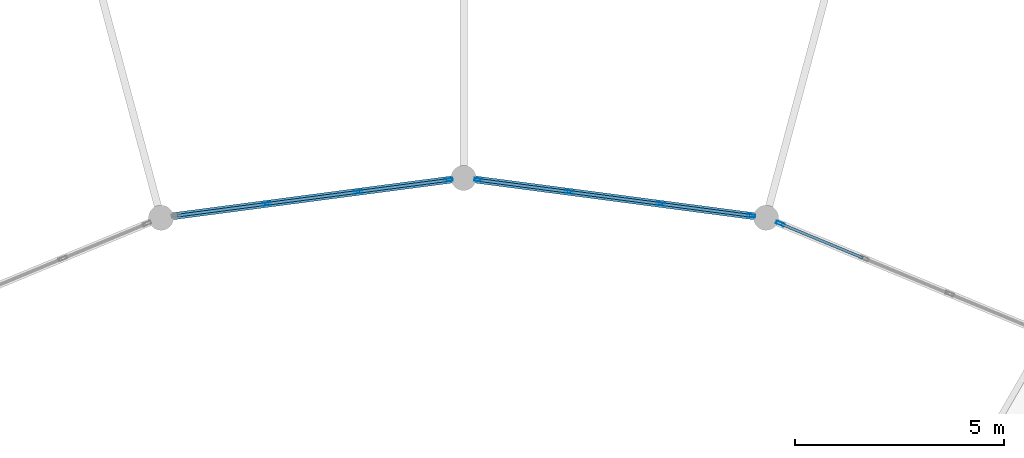
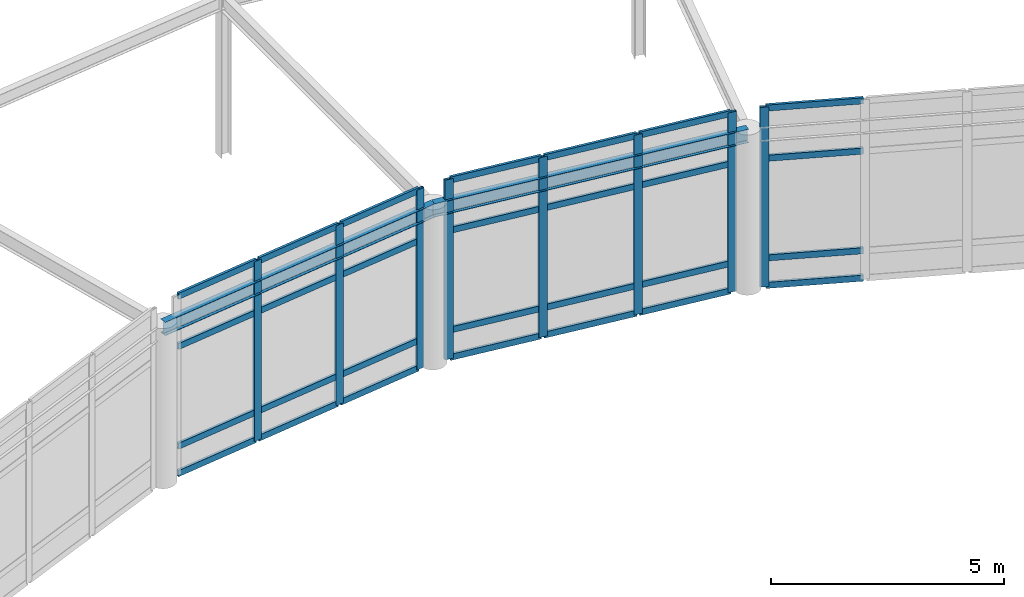
# One storey, part 49 of 93: 36 members, 2 beams, 3 elements without a shape of their own.
"""IFC4 building model written with IfcOpenShell, lengths in metres."""

from ifc_helpers import new_model, si_unit, direction, frame, origin, origin_2d, place, context, subcontext, project, spatial, hollow_rectangle, i_section, extrude, material, material_profile, profile_set, type_object, element, aggregate, save


model = new_model("IFC4")

# Units and contexts
model_context = context("Model", 3, precision=1e-05, world=origin(), true_north=direction((0.0, 1.0)))
body_context = subcontext(model_context, "Body", "Model", "MODEL_VIEW")
ifc_project = project(units=[si_unit("LENGTHUNIT", "METRE"), si_unit("AREAUNIT", "SQUARE_METRE"), si_unit("VOLUMEUNIT", "CUBIC_METRE"), si_unit("PLANEANGLEUNIT", "RADIAN"), si_unit("MASSUNIT", "GRAM", prefix="KILO")], contexts=[model_context])

# Site, building, storey
site_placement = place(None, origin())
site = spatial("IfcSite", under=ifc_project, at=site_placement, CompositionType="ELEMENT")
building_placement = place(site_placement, origin())
building = spatial("IfcBuilding", under=site, at=building_placement, Name="Vondelvale Polytechnic", CompositionType="ELEMENT")
storey_placement = place(building_placement, frame((0.0, 0.0, 18.0)))
storey = spatial("IfcBuildingStorey", under=building, at=storey_placement, Name="L04", CompositionType="ELEMENT", Elevation=18.0)

# Beams
ifc_material_1 = material(Name="Steel 300PLUS (fy = 300 MPa)", Category="steel")
ifc_material_profile_1 = material_profile(ifc_material_1, i_section(OverallWidth=0.1708984375, OverallDepth=0.35205078125, WebThickness=0.0068359375, FlangeThickness=0.009765625, FilletRadius=0.011474609375, at=origin_2d()), Name="360UB44.7")
ifc_profile_set_1 = profile_set([ifc_material_profile_1], Name="Steel 300PLUS (fy = 300 MPa)")
beam_type = type_object("IfcBeamType", Name="BM-UB360L", PredefinedType="BEAM", material=ifc_profile_set_1)
for number, where, z_axis, x_axis, name in (
    (1, (109.246826171875, 99.0458984375, 4.02392578125), (-0.991444174467, 0.13053140969, 0.0), (-0.13053140969, -0.991444174467, 0.0), "L04 RE B-24"),
    (2, (102.0, 100.0, 4.02392578125), (-0.991444174467, -0.13053140969, 0.0), (0.13053140969, -0.991444174467, 0.0), "L04 RE B-24"),
):
    element("IfcBeam", number, at=place(storey_placement, frame(where, z_axis=z_axis, x_axis=x_axis)), inside=storey, type_object=beam_type, Name=name, PredefinedType="BEAM", context=body_context, shape_type="SweptSolid", body=[
        extrude(i_section(OverallWidth=0.1708984375, OverallDepth=0.35205078125, WebThickness=0.0068359375, FlangeThickness=0.009765625, FilletRadius=0.011474609375, at=origin_2d()), origin(), (0.0, 0.0, 1.0), 7.309326171875),
    ])

# Curtain wall, member
ifc_material_2 = material(Name="Anodised extruded aluminium 6063-T6", Category="aluminium")
curtain_wall_type = type_object("IfcCurtainWallType", Name="CW-RING-CLOISTER", PredefinedType="NOTDEFINED", material=ifc_material_2)
curtain_wall_1_placement = place(storey_placement, origin())
curtain_wall_1 = element("IfcCurtainWall", 3, at=curtain_wall_1_placement, inside=storey, type_object=curtain_wall_type, Name="L04 architectural curtain wall CW-03-127", PredefinedType="NOTDEFINED")
ifc_material_profile_2 = material_profile(ifc_material_2, hollow_rectangle(XDim=0.070068359375, YDim=0.199951171875, WallThickness=0.00390625, at=origin_2d()), Name="CW-MUL-200x70")
ifc_profile_set_2 = profile_set([ifc_material_profile_2], Name="Anodised extruded aluminium 6063-T6")
member_type_1 = type_object("IfcMemberType", Name="CW-MUL-70x200", PredefinedType="MULLION", material=ifc_profile_set_2)
member_1_placement = place(storey_placement, frame((109.584228515625, 98.90625, 0.0), z_axis=(0.0, 0.0, 1.0), x_axis=(-0.382678531697, -0.923881562419, 0.0)))
member_1 = element("IfcMember", 4, at=member_1_placement, type_object=member_type_1, Name="CW-03-127 mullion 4", PredefinedType="MULLION", context=body_context, shape_type="SweptSolid", body=[
    extrude(hollow_rectangle(XDim=0.070068359375, YDim=0.199951171875, WallThickness=0.00390625, at=origin_2d()), origin(), (0.0, 0.0, 1.0), 4.713134765625),
])

# Curtain wall, members
curtain_wall_2_placement = place(storey_placement, origin())
curtain_wall_2 = element("IfcCurtainWall", 5, at=curtain_wall_2_placement, inside=storey, type_object=curtain_wall_type, Name="L04 architectural curtain wall CW-03-147", PredefinedType="NOTDEFINED")
member_2_placement = place(storey_placement, frame((108.886474609375, 99.09326171875, 0.0), z_axis=(0.0, 0.0, 1.0), x_axis=(-0.130528007165, -0.99144462243, 0.0)))
member_2 = element("IfcMember", 6, at=member_2_placement, type_object=member_type_1, Name="CW-03-147 mullion 1", PredefinedType="MULLION", context=body_context, shape_type="SweptSolid", body=[
    extrude(hollow_rectangle(XDim=0.070068359375, YDim=0.199951171875, WallThickness=0.00390625, at=origin_2d()), origin(), (0.0, 0.0, 1.0), 4.713134765625),
])
member_3_placement = place(storey_placement, frame((106.72265625, 99.378173828125, 0.0), z_axis=(0.0, 0.0, 1.0), x_axis=(-0.130528007165, -0.99144462243, 0.0)))
member_3 = element("IfcMember", 7, at=member_3_placement, type_object=member_type_1, Name="CW-03-147 mullion 2", PredefinedType="MULLION", context=body_context, shape_type="SweptSolid", body=[
    extrude(hollow_rectangle(XDim=0.070068359375, YDim=0.199951171875, WallThickness=0.00390625, at=origin_2d()), origin(), (0.0, 0.0, 1.0), 4.713134765625),
])
member_4_placement = place(storey_placement, frame((104.524169921875, 99.667724609375, 0.0), z_axis=(0.0, 0.0, 1.0), x_axis=(-0.130528007165, -0.99144462243, 0.0)))
member_4 = element("IfcMember", 8, at=member_4_placement, type_object=member_type_1, Name="CW-03-147 mullion 3", PredefinedType="MULLION", context=body_context, shape_type="SweptSolid", body=[
    extrude(hollow_rectangle(XDim=0.070068359375, YDim=0.199951171875, WallThickness=0.00390625, at=origin_2d()), origin(), (0.0, 0.0, 1.0), 4.713134765625),
])
member_5_placement = place(storey_placement, frame((102.360595703125, 99.95263671875, 0.0), z_axis=(0.0, 0.0, 1.0), x_axis=(-0.130528007165, -0.99144462243, 0.0)))
member_5 = element("IfcMember", 9, at=member_5_placement, type_object=member_type_1, Name="CW-03-147 mullion 4", PredefinedType="MULLION", context=body_context, shape_type="SweptSolid", body=[
    extrude(hollow_rectangle(XDim=0.070068359375, YDim=0.199951171875, WallThickness=0.00390625, at=origin_2d()), origin(), (0.0, 0.0, 1.0), 4.713134765625),
])

curtain_wall_3_placement = place(storey_placement, origin())
curtain_wall_3 = element("IfcCurtainWall", 10, at=curtain_wall_3_placement, inside=storey, type_object=curtain_wall_type, Name="L04 architectural curtain wall CW-03-167", PredefinedType="NOTDEFINED")
member_6_placement = place(storey_placement, frame((101.639404296875, 99.95263671875, 0.0), z_axis=(0.0, 0.0, 1.0), x_axis=(0.130528007165, -0.99144462243, 0.0)))
member_6 = element("IfcMember", 11, at=member_6_placement, type_object=member_type_1, Name="CW-03-167 mullion 1", PredefinedType="MULLION", context=body_context, shape_type="SweptSolid", body=[
    extrude(hollow_rectangle(XDim=0.070068359375, YDim=0.199951171875, WallThickness=0.00390625, at=origin_2d()), origin(), (0.0, 0.0, 1.0), 4.713134765625),
])
member_7_placement = place(storey_placement, frame((99.475830078125, 99.667724609375, 0.0), z_axis=(0.0, 0.0, 1.0), x_axis=(0.130528007165, -0.99144462243, 0.0)))
member_7 = element("IfcMember", 12, at=member_7_placement, type_object=member_type_1, Name="CW-03-167 mullion 2", PredefinedType="MULLION", context=body_context, shape_type="SweptSolid", body=[
    extrude(hollow_rectangle(XDim=0.070068359375, YDim=0.199951171875, WallThickness=0.00390625, at=origin_2d()), origin(), (0.0, 0.0, 1.0), 4.713134765625),
])
member_8_placement = place(storey_placement, frame((97.27734375, 99.378173828125, 0.0), z_axis=(0.0, 0.0, 1.0), x_axis=(0.130528007165, -0.99144462243, 0.0)))
member_8 = element("IfcMember", 13, at=member_8_placement, type_object=member_type_1, Name="CW-03-167 mullion 3", PredefinedType="MULLION", context=body_context, shape_type="SweptSolid", body=[
    extrude(hollow_rectangle(XDim=0.070068359375, YDim=0.199951171875, WallThickness=0.00390625, at=origin_2d()), origin(), (0.0, 0.0, 1.0), 4.713134765625),
])

# Member
ifc_material_profile_3 = material_profile(ifc_material_2, hollow_rectangle(XDim=0.06494140625, YDim=0.159912109375, WallThickness=0.00341796875, at=origin_2d()), Name="CW-TRN-160x65")
ifc_profile_set_3 = profile_set([ifc_material_profile_3], Name="Anodised extruded aluminium 6063-T6")
member_type_2 = type_object("IfcMemberType", Name="CW-TRN-70x160", PredefinedType="USERDEFINED", material=ifc_profile_set_3)
member_9_placement = place(storey_placement, frame((111.567138671875, 98.084716796875, 0.032470703125), z_axis=(-0.923861804277, 0.382726229306, 0.0), x_axis=(-0.382726229306, -0.923861804277, 0.0)))
member_9 = element("IfcMember", 14, at=member_9_placement, type_object=member_type_2, Name="CW-03-127 transom 3.1", ObjectType="TRANSOM", PredefinedType="USERDEFINED", context=body_context, shape_type="SweptSolid", body=[
    extrude(hollow_rectangle(XDim=0.06494140625, YDim=0.159912109375, WallThickness=0.00341796875, at=origin_2d()), origin(), (0.0, 0.0, 1.0), 2.111328125),
])

member_10_placement = place(storey_placement, frame((111.567138671875, 98.084716796875, 0.75), z_axis=(-0.923861804277, 0.382726229306, 0.0), x_axis=(-0.382726229306, -0.923861804277, 0.0)))
member_10 = element("IfcMember", 15, at=member_10_placement, type_object=member_type_2, Name="CW-03-127 transom 3.2", ObjectType="TRANSOM", PredefinedType="USERDEFINED", context=body_context, shape_type="SweptSolid", body=[
    extrude(hollow_rectangle(XDim=0.06494140625, YDim=0.159912109375, WallThickness=0.00341796875, at=origin_2d()), origin(), (0.0, 0.0, 1.0), 2.111328125),
])

member_11_placement = place(storey_placement, frame((111.567138671875, 98.084716796875, 3.36328125), z_axis=(-0.923861804277, 0.382726229306, 0.0), x_axis=(-0.382726229306, -0.923861804277, 0.0)))
member_11 = element("IfcMember", 16, at=member_11_placement, type_object=member_type_2, Name="CW-03-127 transom 3.3", ObjectType="TRANSOM", PredefinedType="USERDEFINED", context=body_context, shape_type="SweptSolid", body=[
    extrude(hollow_rectangle(XDim=0.06494140625, YDim=0.159912109375, WallThickness=0.00341796875, at=origin_2d()), origin(), (0.0, 0.0, 1.0), 2.111328125),
])

member_12_placement = place(storey_placement, frame((111.567138671875, 98.084716796875, 4.6806640625), z_axis=(-0.923861804277, 0.382726229306, 0.0), x_axis=(-0.382726229306, -0.923861804277, 0.0)))
member_12 = element("IfcMember", 17, at=member_12_placement, type_object=member_type_2, Name="CW-03-127 transom 3.4", ObjectType="TRANSOM", PredefinedType="USERDEFINED", context=body_context, shape_type="SweptSolid", body=[
    extrude(hollow_rectangle(XDim=0.06494140625, YDim=0.159912109375, WallThickness=0.00341796875, at=origin_2d()), origin(), (0.0, 0.0, 1.0), 2.111328125),
])

aggregate(curtain_wall_1, [member_1, member_9, member_10, member_11, member_12])

member_13_placement = place(storey_placement, frame((108.851806640625, 99.097900390625, 0.032470703125), z_axis=(-0.991436585775, 0.130589036243, 0.0), x_axis=(-0.130589036243, -0.991436585775, 0.0)))
member_13 = element("IfcMember", 18, at=member_13_placement, type_object=member_type_2, Name="CW-03-147 transom 1.1", ObjectType="TRANSOM", PredefinedType="USERDEFINED", context=body_context, shape_type="SweptSolid", body=[
    extrude(hollow_rectangle(XDim=0.06494140625, YDim=0.159912109375, WallThickness=0.00341796875, at=origin_2d()), origin(), (0.0, 0.0, 1.0), 2.112548828125),
])

member_14_placement = place(storey_placement, frame((108.851806640625, 99.097900390625, 0.75), z_axis=(-0.991436585775, 0.130589036243, 0.0), x_axis=(-0.130589036243, -0.991436585775, 0.0)))
member_14 = element("IfcMember", 19, at=member_14_placement, type_object=member_type_2, Name="CW-03-147 transom 1.2", ObjectType="TRANSOM", PredefinedType="USERDEFINED", context=body_context, shape_type="SweptSolid", body=[
    extrude(hollow_rectangle(XDim=0.06494140625, YDim=0.159912109375, WallThickness=0.00341796875, at=origin_2d()), origin(), (0.0, 0.0, 1.0), 2.112548828125),
])

member_15_placement = place(storey_placement, frame((108.851806640625, 99.097900390625, 3.36328125), z_axis=(-0.991436585775, 0.130589036243, 0.0), x_axis=(-0.130589036243, -0.991436585775, 0.0)))
member_15 = element("IfcMember", 20, at=member_15_placement, type_object=member_type_2, Name="CW-03-147 transom 1.3", ObjectType="TRANSOM", PredefinedType="USERDEFINED", context=body_context, shape_type="SweptSolid", body=[
    extrude(hollow_rectangle(XDim=0.06494140625, YDim=0.159912109375, WallThickness=0.00341796875, at=origin_2d()), origin(), (0.0, 0.0, 1.0), 2.112548828125),
])

member_16_placement = place(storey_placement, frame((108.851806640625, 99.097900390625, 4.6806640625), z_axis=(-0.991436585775, 0.130589036243, 0.0), x_axis=(-0.130589036243, -0.991436585775, 0.0)))
member_16 = element("IfcMember", 21, at=member_16_placement, type_object=member_type_2, Name="CW-03-147 transom 1.4", ObjectType="TRANSOM", PredefinedType="USERDEFINED", context=body_context, shape_type="SweptSolid", body=[
    extrude(hollow_rectangle(XDim=0.06494140625, YDim=0.159912109375, WallThickness=0.00341796875, at=origin_2d()), origin(), (0.0, 0.0, 1.0), 2.112548828125),
])

member_17_placement = place(storey_placement, frame((106.68798828125, 99.3828125, 0.032470703125), z_axis=(-0.991446941977, 0.1305103875, 0.0), x_axis=(-0.1305103875, -0.991446941977, 0.0)))
member_17 = element("IfcMember", 22, at=member_17_placement, type_object=member_type_2, Name="CW-03-147 transom 2.1", ObjectType="TRANSOM", PredefinedType="USERDEFINED", context=body_context, shape_type="SweptSolid", body=[
    extrude(hollow_rectangle(XDim=0.06494140625, YDim=0.159912109375, WallThickness=0.00341796875, at=origin_2d()), origin(), (0.0, 0.0, 1.0), 2.1474609375),
])

member_18_placement = place(storey_placement, frame((106.68798828125, 99.3828125, 0.75), z_axis=(-0.991446941977, 0.1305103875, 0.0), x_axis=(-0.1305103875, -0.991446941977, 0.0)))
member_18 = element("IfcMember", 23, at=member_18_placement, type_object=member_type_2, Name="CW-03-147 transom 2.2", ObjectType="TRANSOM", PredefinedType="USERDEFINED", context=body_context, shape_type="SweptSolid", body=[
    extrude(hollow_rectangle(XDim=0.06494140625, YDim=0.159912109375, WallThickness=0.00341796875, at=origin_2d()), origin(), (0.0, 0.0, 1.0), 2.1474609375),
])

member_19_placement = place(storey_placement, frame((106.68798828125, 99.3828125, 3.36328125), z_axis=(-0.991446941977, 0.1305103875, 0.0), x_axis=(-0.1305103875, -0.991446941977, 0.0)))
member_19 = element("IfcMember", 24, at=member_19_placement, type_object=member_type_2, Name="CW-03-147 transom 2.3", ObjectType="TRANSOM", PredefinedType="USERDEFINED", context=body_context, shape_type="SweptSolid", body=[
    extrude(hollow_rectangle(XDim=0.06494140625, YDim=0.159912109375, WallThickness=0.00341796875, at=origin_2d()), origin(), (0.0, 0.0, 1.0), 2.1474609375),
])

member_20_placement = place(storey_placement, frame((106.68798828125, 99.3828125, 4.6806640625), z_axis=(-0.991446941977, 0.1305103875, 0.0), x_axis=(-0.1305103875, -0.991446941977, 0.0)))
member_20 = element("IfcMember", 25, at=member_20_placement, type_object=member_type_2, Name="CW-03-147 transom 2.4", ObjectType="TRANSOM", PredefinedType="USERDEFINED", context=body_context, shape_type="SweptSolid", body=[
    extrude(hollow_rectangle(XDim=0.06494140625, YDim=0.159912109375, WallThickness=0.00341796875, at=origin_2d()), origin(), (0.0, 0.0, 1.0), 2.1474609375),
])

member_21_placement = place(storey_placement, frame((104.489501953125, 99.672119140625, 0.032470703125), z_axis=(-0.99143461464, 0.130604000296, 0.0), x_axis=(-0.130604000296, -0.99143461464, 0.0)))
member_21 = element("IfcMember", 26, at=member_21_placement, type_object=member_type_2, Name="CW-03-147 transom 3.1", ObjectType="TRANSOM", PredefinedType="USERDEFINED", context=body_context, shape_type="SweptSolid", body=[
    extrude(hollow_rectangle(XDim=0.06494140625, YDim=0.159912109375, WallThickness=0.00341796875, at=origin_2d()), origin(), (0.0, 0.0, 1.0), 2.1123046875),
])

member_22_placement = place(storey_placement, frame((104.489501953125, 99.672119140625, 0.75), z_axis=(-0.99143461464, 0.130604000296, 0.0), x_axis=(-0.130604000296, -0.99143461464, 0.0)))
member_22 = element("IfcMember", 27, at=member_22_placement, type_object=member_type_2, Name="CW-03-147 transom 3.2", ObjectType="TRANSOM", PredefinedType="USERDEFINED", context=body_context, shape_type="SweptSolid", body=[
    extrude(hollow_rectangle(XDim=0.06494140625, YDim=0.159912109375, WallThickness=0.00341796875, at=origin_2d()), origin(), (0.0, 0.0, 1.0), 2.1123046875),
])

member_23_placement = place(storey_placement, frame((104.489501953125, 99.672119140625, 3.36328125), z_axis=(-0.99143461464, 0.130604000296, 0.0), x_axis=(-0.130604000296, -0.99143461464, 0.0)))
member_23 = element("IfcMember", 28, at=member_23_placement, type_object=member_type_2, Name="CW-03-147 transom 3.3", ObjectType="TRANSOM", PredefinedType="USERDEFINED", context=body_context, shape_type="SweptSolid", body=[
    extrude(hollow_rectangle(XDim=0.06494140625, YDim=0.159912109375, WallThickness=0.00341796875, at=origin_2d()), origin(), (0.0, 0.0, 1.0), 2.1123046875),
])

member_24_placement = place(storey_placement, frame((104.489501953125, 99.672119140625, 4.6806640625), z_axis=(-0.99143461464, 0.130604000296, 0.0), x_axis=(-0.130604000296, -0.99143461464, 0.0)))
member_24 = element("IfcMember", 29, at=member_24_placement, type_object=member_type_2, Name="CW-03-147 transom 3.4", ObjectType="TRANSOM", PredefinedType="USERDEFINED", context=body_context, shape_type="SweptSolid", body=[
    extrude(hollow_rectangle(XDim=0.06494140625, YDim=0.159912109375, WallThickness=0.00341796875, at=origin_2d()), origin(), (0.0, 0.0, 1.0), 2.1123046875),
])

aggregate(curtain_wall_2, [member_2, member_3, member_4, member_5, member_13, member_14, member_15, member_16, member_17, member_18, member_19, member_20, member_21, member_22, member_23, member_24])

member_25_placement = place(storey_placement, frame((101.604736328125, 99.947998046875, 0.032470703125), z_axis=(-0.99143461464, -0.130604000296, 0.0), x_axis=(0.130604000296, -0.99143461464, 0.0)))
member_25 = element("IfcMember", 30, at=member_25_placement, type_object=member_type_2, Name="CW-03-167 transom 1.1", ObjectType="TRANSOM", PredefinedType="USERDEFINED", context=body_context, shape_type="SweptSolid", body=[
    extrude(hollow_rectangle(XDim=0.06494140625, YDim=0.159912109375, WallThickness=0.00341796875, at=origin_2d()), origin(), (0.0, 0.0, 1.0), 2.1123046875),
])

member_26_placement = place(storey_placement, frame((101.604736328125, 99.947998046875, 0.75), z_axis=(-0.99143461464, -0.130604000296, 0.0), x_axis=(0.130604000296, -0.99143461464, 0.0)))
member_26 = element("IfcMember", 31, at=member_26_placement, type_object=member_type_2, Name="CW-03-167 transom 1.2", ObjectType="TRANSOM", PredefinedType="USERDEFINED", context=body_context, shape_type="SweptSolid", body=[
    extrude(hollow_rectangle(XDim=0.06494140625, YDim=0.159912109375, WallThickness=0.00341796875, at=origin_2d()), origin(), (0.0, 0.0, 1.0), 2.1123046875),
])

member_27_placement = place(storey_placement, frame((101.604736328125, 99.947998046875, 3.36328125), z_axis=(-0.99143461464, -0.130604000296, 0.0), x_axis=(0.130604000296, -0.99143461464, 0.0)))
member_27 = element("IfcMember", 32, at=member_27_placement, type_object=member_type_2, Name="CW-03-167 transom 1.3", ObjectType="TRANSOM", PredefinedType="USERDEFINED", context=body_context, shape_type="SweptSolid", body=[
    extrude(hollow_rectangle(XDim=0.06494140625, YDim=0.159912109375, WallThickness=0.00341796875, at=origin_2d()), origin(), (0.0, 0.0, 1.0), 2.1123046875),
])

member_28_placement = place(storey_placement, frame((101.604736328125, 99.947998046875, 4.6806640625), z_axis=(-0.99143461464, -0.130604000296, 0.0), x_axis=(0.130604000296, -0.99143461464, 0.0)))
member_28 = element("IfcMember", 33, at=member_28_placement, type_object=member_type_2, Name="CW-03-167 transom 1.4", ObjectType="TRANSOM", PredefinedType="USERDEFINED", context=body_context, shape_type="SweptSolid", body=[
    extrude(hollow_rectangle(XDim=0.06494140625, YDim=0.159912109375, WallThickness=0.00341796875, at=origin_2d()), origin(), (0.0, 0.0, 1.0), 2.1123046875),
])

member_29_placement = place(storey_placement, frame((99.441162109375, 99.6630859375, 0.032470703125), z_axis=(-0.991446941977, -0.1305103875, 0.0), x_axis=(0.1305103875, -0.991446941977, 0.0)))
member_29 = element("IfcMember", 34, at=member_29_placement, type_object=member_type_2, Name="CW-03-167 transom 2.1", ObjectType="TRANSOM", PredefinedType="USERDEFINED", context=body_context, shape_type="SweptSolid", body=[
    extrude(hollow_rectangle(XDim=0.06494140625, YDim=0.159912109375, WallThickness=0.00341796875, at=origin_2d()), origin(), (0.0, 0.0, 1.0), 2.1474609375),
])

member_30_placement = place(storey_placement, frame((99.441162109375, 99.6630859375, 0.75), z_axis=(-0.991446941977, -0.1305103875, 0.0), x_axis=(0.1305103875, -0.991446941977, 0.0)))
member_30 = element("IfcMember", 35, at=member_30_placement, type_object=member_type_2, Name="CW-03-167 transom 2.2", ObjectType="TRANSOM", PredefinedType="USERDEFINED", context=body_context, shape_type="SweptSolid", body=[
    extrude(hollow_rectangle(XDim=0.06494140625, YDim=0.159912109375, WallThickness=0.00341796875, at=origin_2d()), origin(), (0.0, 0.0, 1.0), 2.1474609375),
])

member_31_placement = place(storey_placement, frame((99.441162109375, 99.6630859375, 3.36328125), z_axis=(-0.991446941977, -0.1305103875, 0.0), x_axis=(0.1305103875, -0.991446941977, 0.0)))
member_31 = element("IfcMember", 36, at=member_31_placement, type_object=member_type_2, Name="CW-03-167 transom 2.3", ObjectType="TRANSOM", PredefinedType="USERDEFINED", context=body_context, shape_type="SweptSolid", body=[
    extrude(hollow_rectangle(XDim=0.06494140625, YDim=0.159912109375, WallThickness=0.00341796875, at=origin_2d()), origin(), (0.0, 0.0, 1.0), 2.1474609375),
])

member_32_placement = place(storey_placement, frame((99.441162109375, 99.6630859375, 4.6806640625), z_axis=(-0.991446941977, -0.1305103875, 0.0), x_axis=(0.1305103875, -0.991446941977, 0.0)))
member_32 = element("IfcMember", 37, at=member_32_placement, type_object=member_type_2, Name="CW-03-167 transom 2.4", ObjectType="TRANSOM", PredefinedType="USERDEFINED", context=body_context, shape_type="SweptSolid", body=[
    extrude(hollow_rectangle(XDim=0.06494140625, YDim=0.159912109375, WallThickness=0.00341796875, at=origin_2d()), origin(), (0.0, 0.0, 1.0), 2.1474609375),
])

member_33_placement = place(storey_placement, frame((97.24267578125, 99.373779296875, 0.032470703125), z_axis=(-0.991436585775, -0.130589036243, 0.0), x_axis=(0.130589036243, -0.991436585775, 0.0)))
member_33 = element("IfcMember", 38, at=member_33_placement, type_object=member_type_2, Name="CW-03-167 transom 3.1", ObjectType="TRANSOM", PredefinedType="USERDEFINED", context=body_context, shape_type="SweptSolid", body=[
    extrude(hollow_rectangle(XDim=0.06494140625, YDim=0.159912109375, WallThickness=0.00341796875, at=origin_2d()), origin(), (0.0, 0.0, 1.0), 2.112548828125),
])

member_34_placement = place(storey_placement, frame((97.24267578125, 99.373779296875, 0.75), z_axis=(-0.991436585775, -0.130589036243, 0.0), x_axis=(0.130589036243, -0.991436585775, 0.0)))
member_34 = element("IfcMember", 39, at=member_34_placement, type_object=member_type_2, Name="CW-03-167 transom 3.2", ObjectType="TRANSOM", PredefinedType="USERDEFINED", context=body_context, shape_type="SweptSolid", body=[
    extrude(hollow_rectangle(XDim=0.06494140625, YDim=0.159912109375, WallThickness=0.00341796875, at=origin_2d()), origin(), (0.0, 0.0, 1.0), 2.112548828125),
])

member_35_placement = place(storey_placement, frame((97.24267578125, 99.373779296875, 3.36328125), z_axis=(-0.991436585775, -0.130589036243, 0.0), x_axis=(0.130589036243, -0.991436585775, 0.0)))
member_35 = element("IfcMember", 40, at=member_35_placement, type_object=member_type_2, Name="CW-03-167 transom 3.3", ObjectType="TRANSOM", PredefinedType="USERDEFINED", context=body_context, shape_type="SweptSolid", body=[
    extrude(hollow_rectangle(XDim=0.06494140625, YDim=0.159912109375, WallThickness=0.00341796875, at=origin_2d()), origin(), (0.0, 0.0, 1.0), 2.112548828125),
])

member_36_placement = place(storey_placement, frame((97.24267578125, 99.373779296875, 4.6806640625), z_axis=(-0.991436585775, -0.130589036243, 0.0), x_axis=(0.130589036243, -0.991436585775, 0.0)))
member_36 = element("IfcMember", 41, at=member_36_placement, type_object=member_type_2, Name="CW-03-167 transom 3.4", ObjectType="TRANSOM", PredefinedType="USERDEFINED", context=body_context, shape_type="SweptSolid", body=[
    extrude(hollow_rectangle(XDim=0.06494140625, YDim=0.159912109375, WallThickness=0.00341796875, at=origin_2d()), origin(), (0.0, 0.0, 1.0), 2.112548828125),
])

aggregate(curtain_wall_3, [member_6, member_7, member_8, member_25, member_26, member_27, member_28, member_29, member_30, member_31, member_32, member_33, member_34, member_35, member_36])

save(model, "model.ifc")
